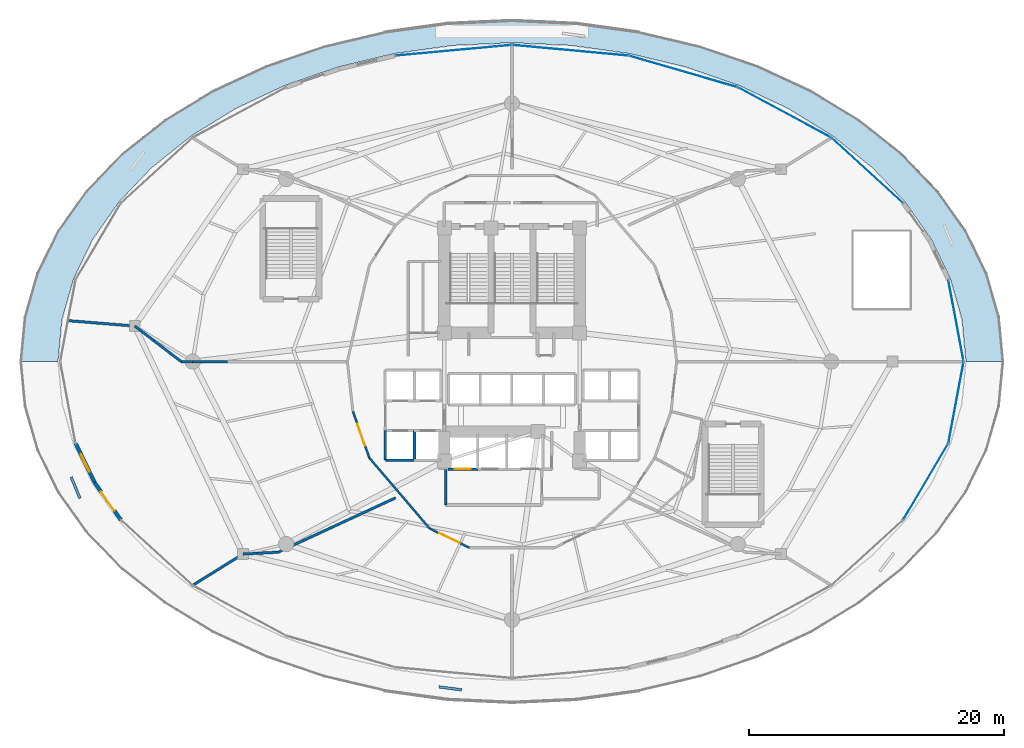
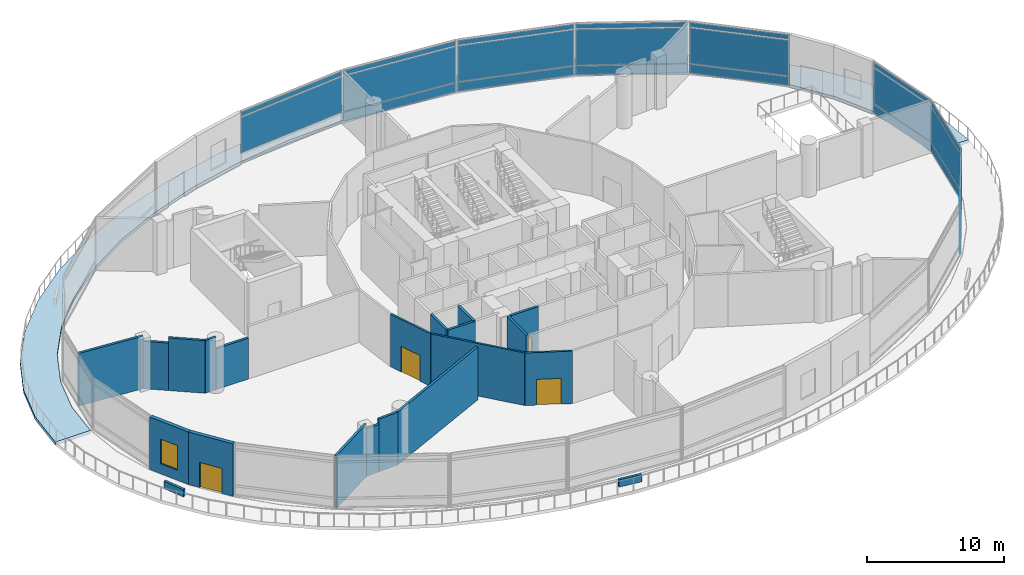
# One storey, part 25 of 36: 23 plates, 21 walls, 4 doors, 1 slab, 1 window, 5 openings, 8 elements without a shape of their own.
"""IFC4 building model written with IfcOpenShell, lengths in metres."""

from ifc_helpers import new_model, si_unit, direction, frame, frame_2d, origin, origin_2d, place, context, subcontext, project, spatial, polyline, rectangle, outline, extrude, material, layer, layer_set, type_object, element, fill, aggregate, save


model = new_model("IFC4")

# Units and contexts
model_context = context("Model", 3, precision=1e-05, world=origin(), true_north=direction((0.0, 1.0)))
body_context = subcontext(model_context, "Body", "Model", "MODEL_VIEW")
ifc_project = project(units=[si_unit("LENGTHUNIT", "METRE"), si_unit("AREAUNIT", "SQUARE_METRE"), si_unit("VOLUMEUNIT", "CUBIC_METRE"), si_unit("PLANEANGLEUNIT", "RADIAN"), si_unit("MASSUNIT", "GRAM", prefix="KILO")], contexts=[model_context])

# Site, building, storey
site_placement = place(None, origin())
site = spatial("IfcSite", under=ifc_project, at=site_placement, CompositionType="ELEMENT")
building_placement = place(site_placement, origin())
building = spatial("IfcBuilding", under=site, at=building_placement, Name="Nuhasar Tower", CompositionType="ELEMENT")
storey_placement = place(building_placement, frame((0.0, 0.0, 11.0)))
storey = spatial("IfcBuildingStorey", under=building, at=storey_placement, Name="L02", CompositionType="ELEMENT", Elevation=11.0)

# Curtain wall, plates
ifc_material_1 = material(Name="Aluminium 6063-T6", Category="aluminium")
ifc_layer_1 = layer(ifc_material_1, 0.219970703125)
ifc_layer_set_1 = layer_set([ifc_layer_1], Name="Aluminium 6063-T6")
curtain_wall_type = type_object("IfcCurtainWallType", Name="CW-PODIUM", PredefinedType="NOTDEFINED", material=ifc_layer_set_1)
curtain_wall_1_placement = place(storey_placement, origin())
curtain_wall_1 = element("IfcCurtainWall", 1, at=curtain_wall_1_placement, inside=storey, type_object=curtain_wall_type, Name="L02 Podium Curtain Wall Bay 01", PredefinedType="NOTDEFINED")
ifc_material_2 = material(Name="Glass Double Low-E", Category="glass")
ifc_layer_2 = layer(ifc_material_2, 0.028076171875)
ifc_layer_set_2 = layer_set([ifc_layer_2], Name="Glass Double Low-E")
plate_type_1 = type_object("IfcPlateType", Name="CW-PANEL-GLZ", PredefinedType="CURTAIN_PANEL", material=ifc_layer_set_2)
plate_1_placement = place(storey_placement, frame((73.8359375, 30.014404296875, 0.9375), z_axis=(0.0, 0.0, 1.0), x_axis=(-0.184666946725, 0.982801159334, 0.0)))
plate_1 = element("IfcPlate", 2, at=plate_1_placement, type_object=plate_type_1, Name="CW-P1 panel 1.2", PredefinedType="CURTAIN_PANEL", context=body_context, shape_type="SweptSolid", body=[
    extrude(rectangle(XDim=6.3916015625, YDim=0.028076171875, at=origin_2d()), origin(), (0.0, 0.0, 1.0), 3.175048828125),
])
plate_2_placement = place(storey_placement, frame((73.8359375, 30.014404296875, 4.1875), z_axis=(0.0, 0.0, 1.0), x_axis=(-0.184666946725, 0.982801159334, 0.0)))
plate_2 = element("IfcPlate", 3, at=plate_2_placement, type_object=plate_type_1, Name="CW-P1 panel 1.3", PredefinedType="CURTAIN_PANEL", context=body_context, shape_type="SweptSolid", body=[
    extrude(rectangle(XDim=6.3916015625, YDim=0.028076171875, at=origin_2d()), origin(), (0.0, 0.0, 1.0), 0.4375),
])

curtain_wall_2_placement = place(storey_placement, origin())
curtain_wall_2 = element("IfcCurtainWall", 4, at=curtain_wall_2_placement, inside=storey, type_object=curtain_wall_type, Name="L02 Podium Curtain Wall Bay 03", PredefinedType="NOTDEFINED")
plate_3_placement = place(storey_placement, frame((66.8759765625, 41.79248046875, 0.9375), z_axis=(0.0, 0.0, 1.0), x_axis=(-0.738306670127, 0.674465166517, 0.0)))
plate_3 = element("IfcPlate", 5, at=plate_3_placement, type_object=plate_type_1, Name="CW-P1 panel 1.2", PredefinedType="CURTAIN_PANEL", context=body_context, shape_type="SweptSolid", body=[
    extrude(rectangle(XDim=7.478271484375, YDim=0.028076171875, at=origin_2d()), origin(), (0.0, 0.0, 1.0), 3.175048828125),
])
plate_4_placement = place(storey_placement, frame((66.8759765625, 41.79248046875, 4.1875), z_axis=(0.0, 0.0, 1.0), x_axis=(-0.738306670127, 0.674465166517, 0.0)))
plate_4 = element("IfcPlate", 6, at=plate_4_placement, type_object=plate_type_1, Name="CW-P1 panel 1.3", PredefinedType="CURTAIN_PANEL", context=body_context, shape_type="SweptSolid", body=[
    extrude(rectangle(XDim=7.478271484375, YDim=0.028076171875, at=origin_2d()), origin(), (0.0, 0.0, 1.0), 0.4375),
])

curtain_wall_3_placement = place(storey_placement, origin())
curtain_wall_3 = element("IfcCurtainWall", 7, at=curtain_wall_3_placement, inside=storey, type_object=curtain_wall_type, Name="L02 Podium Curtain Wall Bay 04", PredefinedType="NOTDEFINED")
plate_5_placement = place(storey_placement, frame((60.389892578125, 46.33837890625, 0.9375), z_axis=(0.0, 0.0, 1.0), x_axis=(-0.880736813978, 0.473606022453, 0.0)))
plate_5 = element("IfcPlate", 8, at=plate_5_placement, type_object=plate_type_1, Name="CW-P1 panel 1.2", PredefinedType="CURTAIN_PANEL", context=body_context, shape_type="SweptSolid", body=[
    extrude(rectangle(XDim=8.183837890625, YDim=0.028076171875, at=origin_2d()), origin(), (0.0, 0.0, 1.0), 3.175048828125),
])
plate_6_placement = place(storey_placement, frame((60.389892578125, 46.33837890625, 4.1875), z_axis=(0.0, 0.0, 1.0), x_axis=(-0.880736813978, 0.473606022453, 0.0)))
plate_6 = element("IfcPlate", 9, at=plate_6_placement, type_object=plate_type_1, Name="CW-P1 panel 1.3", PredefinedType="CURTAIN_PANEL", context=body_context, shape_type="SweptSolid", body=[
    extrude(rectangle(XDim=8.183837890625, YDim=0.028076171875, at=origin_2d()), origin(), (0.0, 0.0, 1.0), 0.4375),
])

curtain_wall_4_placement = place(storey_placement, origin())
curtain_wall_4 = element("IfcCurtainWall", 10, at=curtain_wall_4_placement, inside=storey, type_object=curtain_wall_type, Name="L02 Podium Curtain Wall Bay 05", PredefinedType="NOTDEFINED")
plate_7_placement = place(storey_placement, frame((52.446533203125, 49.552978515625, 0.9375), z_axis=(0.0, 0.0, 1.0), x_axis=(-0.960327785787, 0.278873705907, 0.0)))
plate_7 = element("IfcPlate", 11, at=plate_7_placement, type_object=plate_type_1, Name="CW-P1 panel 1.2", PredefinedType="CURTAIN_PANEL", context=body_context, shape_type="SweptSolid", body=[
    extrude(rectangle(XDim=8.75, YDim=0.028076171875, at=origin_2d()), origin(), (0.0, 0.0, 1.0), 3.175048828125),
])
plate_8_placement = place(storey_placement, frame((52.446533203125, 49.552978515625, 4.1875), z_axis=(0.0, 0.0, 1.0), x_axis=(-0.960327785787, 0.278873705907, 0.0)))
plate_8 = element("IfcPlate", 12, at=plate_8_placement, type_object=plate_type_1, Name="CW-P1 panel 1.3", PredefinedType="CURTAIN_PANEL", context=body_context, shape_type="SweptSolid", body=[
    extrude(rectangle(XDim=8.75, YDim=0.028076171875, at=origin_2d()), origin(), (0.0, 0.0, 1.0), 0.4375),
])

curtain_wall_5_placement = place(storey_placement, origin())
curtain_wall_5 = element("IfcCurtainWall", 13, at=curtain_wall_5_placement, inside=storey, type_object=curtain_wall_type, Name="L02 Podium Curtain Wall Bay 06", PredefinedType="NOTDEFINED")
plate_9_placement = place(storey_placement, frame((43.58642578125, 51.217041015625, 0.9375), z_axis=(0.0, 0.0, 1.0), x_axis=(-0.995774013045, 0.091837437601, 0.0)))
plate_9 = element("IfcPlate", 14, at=plate_9_placement, type_object=plate_type_1, Name="CW-P1 panel 1.2", PredefinedType="CURTAIN_PANEL", context=body_context, shape_type="SweptSolid", body=[
    extrude(rectangle(XDim=9.06201171875, YDim=0.028076171875, at=origin_2d()), origin(), (0.0, 0.0, 1.0), 3.175048828125),
])
plate_10_placement = place(storey_placement, frame((43.58642578125, 51.217041015625, 4.1875), z_axis=(0.0, 0.0, 1.0), x_axis=(-0.995774013045, 0.091837437601, 0.0)))
plate_10 = element("IfcPlate", 15, at=plate_10_placement, type_object=plate_type_1, Name="CW-P1 panel 1.3", PredefinedType="CURTAIN_PANEL", context=body_context, shape_type="SweptSolid", body=[
    extrude(rectangle(XDim=9.06201171875, YDim=0.028076171875, at=origin_2d()), origin(), (0.0, 0.0, 1.0), 0.4375),
])

curtain_wall_6_placement = place(storey_placement, origin())
curtain_wall_6 = element("IfcCurtainWall", 16, at=curtain_wall_6_placement, inside=storey, type_object=curtain_wall_type, Name="L02 Podium Curtain Wall Bay 07", PredefinedType="NOTDEFINED")
plate_11_placement = place(storey_placement, frame((34.41357421875, 51.217041015625, 0.9375), z_axis=(0.0, 0.0, 1.0), x_axis=(-0.995774013045, -0.091837437601, 0.0)))
plate_11 = element("IfcPlate", 17, at=plate_11_placement, type_object=plate_type_1, Name="CW-P1 panel 1.2", PredefinedType="CURTAIN_PANEL", context=body_context, shape_type="SweptSolid", body=[
    extrude(rectangle(XDim=9.06201171875, YDim=0.028076171875, at=origin_2d()), origin(), (0.0, 0.0, 1.0), 3.175048828125),
])
plate_12_placement = place(storey_placement, frame((34.41357421875, 51.217041015625, 4.1875), z_axis=(0.0, 0.0, 1.0), x_axis=(-0.995774013045, -0.091837437601, 0.0)))
plate_12 = element("IfcPlate", 18, at=plate_12_placement, type_object=plate_type_1, Name="CW-P1 panel 1.3", PredefinedType="CURTAIN_PANEL", context=body_context, shape_type="SweptSolid", body=[
    extrude(rectangle(XDim=9.06201171875, YDim=0.028076171875, at=origin_2d()), origin(), (0.0, 0.0, 1.0), 0.4375),
])
aggregate(curtain_wall_6, [plate_11, plate_12])

curtain_wall_7_placement = place(storey_placement, origin())
curtain_wall_7 = element("IfcCurtainWall", 19, at=curtain_wall_7_placement, inside=storey, type_object=curtain_wall_type, Name="L02 Podium Curtain Wall Bay 23", PredefinedType="NOTDEFINED")
plate_13_placement = place(storey_placement, frame((71.4619140625, 17.37548828125, 0.9375), z_axis=(0.0, 0.0, 1.0), x_axis=(0.508714787537, 0.860935110761, 0.0)))
plate_13 = element("IfcPlate", 20, at=plate_13_placement, type_object=plate_type_1, Name="CW-P1 panel 1.2", PredefinedType="CURTAIN_PANEL", context=body_context, shape_type="SweptSolid", body=[
    extrude(rectangle(XDim=6.80859375, YDim=0.028076171875, at=origin_2d()), origin(), (0.0, 0.0, 1.0), 3.175048828125),
])
plate_14_placement = place(storey_placement, frame((71.4619140625, 17.37548828125, 4.1875), z_axis=(0.0, 0.0, 1.0), x_axis=(0.508714787537, 0.860935110761, 0.0)))
plate_14 = element("IfcPlate", 21, at=plate_14_placement, type_object=plate_type_1, Name="CW-P1 panel 1.3", PredefinedType="CURTAIN_PANEL", context=body_context, shape_type="SweptSolid", body=[
    extrude(rectangle(XDim=6.80859375, YDim=0.028076171875, at=origin_2d()), origin(), (0.0, 0.0, 1.0), 0.4375),
])

curtain_wall_8_placement = place(storey_placement, origin())
curtain_wall_8 = element("IfcCurtainWall", 22, at=curtain_wall_8_placement, inside=storey, type_object=curtain_wall_type, Name="L02 Podium Curtain Wall Bay 24", PredefinedType="NOTDEFINED")
plate_15_placement = place(storey_placement, frame((73.8359375, 23.58544921875, 0.9375), z_axis=(0.0, 0.0, 1.0), x_axis=(0.184666946725, 0.982801159334, 0.0)))
plate_15 = element("IfcPlate", 23, at=plate_15_placement, type_object=plate_type_1, Name="CW-P1 panel 1.2", PredefinedType="CURTAIN_PANEL", context=body_context, shape_type="SweptSolid", body=[
    extrude(rectangle(XDim=6.3916015625, YDim=0.028076171875, at=origin_2d()), origin(), (0.0, 0.0, 1.0), 3.175048828125),
])
plate_16_placement = place(storey_placement, frame((73.8359375, 23.58544921875, 4.1875), z_axis=(0.0, 0.0, 1.0), x_axis=(0.184666946725, 0.982801159334, 0.0)))
plate_16 = element("IfcPlate", 24, at=plate_16_placement, type_object=plate_type_1, Name="CW-P1 panel 1.3", PredefinedType="CURTAIN_PANEL", context=body_context, shape_type="SweptSolid", body=[
    extrude(rectangle(XDim=6.3916015625, YDim=0.028076171875, at=origin_2d()), origin(), (0.0, 0.0, 1.0), 0.4375),
])

# Plate
ifc_material_3 = material(Name="Glass Spandrel", Category="glass")
ifc_layer_3 = layer(ifc_material_3, 0.035888671875)
ifc_layer_set_3 = layer_set([ifc_layer_3], Name="Glass Spandrel")
plate_type_2 = type_object("IfcPlateType", Name="CW-PANEL-SPN", PredefinedType="CURTAIN_PANEL", material=ifc_layer_set_3)
plate_17_placement = place(storey_placement, frame((73.8359375, 30.014404296875, 0.074951171875), z_axis=(0.0, 0.0, 1.0), x_axis=(-0.184666946725, 0.982801159334, 0.0)))
plate_17 = element("IfcPlate", 25, at=plate_17_placement, type_object=plate_type_2, Name="CW-P1 panel 1.1", PredefinedType="CURTAIN_PANEL", context=body_context, shape_type="SweptSolid", body=[
    extrude(rectangle(XDim=6.3916015625, YDim=0.035888671875, at=origin_2d()), origin(), (0.0, 0.0, 1.0), 0.78759765625),
])

aggregate(curtain_wall_1, [plate_17, plate_1, plate_2])

plate_18_placement = place(storey_placement, frame((66.8759765625, 41.79248046875, 0.074951171875), z_axis=(0.0, 0.0, 1.0), x_axis=(-0.738306670127, 0.674465166517, 0.0)))
plate_18 = element("IfcPlate", 26, at=plate_18_placement, type_object=plate_type_2, Name="CW-P1 panel 1.1", PredefinedType="CURTAIN_PANEL", context=body_context, shape_type="SweptSolid", body=[
    extrude(rectangle(XDim=7.478271484375, YDim=0.035888671875, at=origin_2d()), origin(), (0.0, 0.0, 1.0), 0.78759765625),
])

aggregate(curtain_wall_2, [plate_18, plate_3, plate_4])

plate_19_placement = place(storey_placement, frame((60.389892578125, 46.33837890625, 0.074951171875), z_axis=(0.0, 0.0, 1.0), x_axis=(-0.880736813978, 0.473606022453, 0.0)))
plate_19 = element("IfcPlate", 27, at=plate_19_placement, type_object=plate_type_2, Name="CW-P1 panel 1.1", PredefinedType="CURTAIN_PANEL", context=body_context, shape_type="SweptSolid", body=[
    extrude(rectangle(XDim=8.183837890625, YDim=0.035888671875, at=origin_2d()), origin(), (0.0, 0.0, 1.0), 0.78759765625),
])

aggregate(curtain_wall_3, [plate_19, plate_5, plate_6])

plate_20_placement = place(storey_placement, frame((52.446533203125, 49.552978515625, 0.074951171875), z_axis=(0.0, 0.0, 1.0), x_axis=(-0.960327785787, 0.278873705907, 0.0)))
plate_20 = element("IfcPlate", 28, at=plate_20_placement, type_object=plate_type_2, Name="CW-P1 panel 1.1", PredefinedType="CURTAIN_PANEL", context=body_context, shape_type="SweptSolid", body=[
    extrude(rectangle(XDim=8.75, YDim=0.035888671875, at=origin_2d()), origin(), (0.0, 0.0, 1.0), 0.78759765625),
])

aggregate(curtain_wall_4, [plate_20, plate_7, plate_8])

plate_21_placement = place(storey_placement, frame((43.58642578125, 51.217041015625, 0.074951171875), z_axis=(0.0, 0.0, 1.0), x_axis=(-0.995774013045, 0.091837437601, 0.0)))
plate_21 = element("IfcPlate", 29, at=plate_21_placement, type_object=plate_type_2, Name="CW-P1 panel 1.1", PredefinedType="CURTAIN_PANEL", context=body_context, shape_type="SweptSolid", body=[
    extrude(rectangle(XDim=9.06201171875, YDim=0.035888671875, at=origin_2d()), origin(), (0.0, 0.0, 1.0), 0.78759765625),
])

aggregate(curtain_wall_5, [plate_21, plate_9, plate_10])

plate_22_placement = place(storey_placement, frame((71.4619140625, 17.37548828125, 0.074951171875), z_axis=(0.0, 0.0, 1.0), x_axis=(0.508714787537, 0.860935110761, 0.0)))
plate_22 = element("IfcPlate", 30, at=plate_22_placement, type_object=plate_type_2, Name="CW-P1 panel 1.1", PredefinedType="CURTAIN_PANEL", context=body_context, shape_type="SweptSolid", body=[
    extrude(rectangle(XDim=6.80859375, YDim=0.035888671875, at=origin_2d()), origin(), (0.0, 0.0, 1.0), 0.78759765625),
])

aggregate(curtain_wall_7, [plate_22, plate_13, plate_14])

plate_23_placement = place(storey_placement, frame((73.8359375, 23.58544921875, 0.074951171875), z_axis=(0.0, 0.0, 1.0), x_axis=(0.184666946725, 0.982801159334, 0.0)))
plate_23 = element("IfcPlate", 31, at=plate_23_placement, type_object=plate_type_2, Name="CW-P1 panel 1.1", PredefinedType="CURTAIN_PANEL", context=body_context, shape_type="SweptSolid", body=[
    extrude(rectangle(XDim=6.3916015625, YDim=0.035888671875, at=origin_2d()), origin(), (0.0, 0.0, 1.0), 0.78759765625),
])

aggregate(curtain_wall_8, [plate_23, plate_15, plate_16])

# Slab
ifc_material_4 = material(Name="Concrete C45/55", Category="concrete")
ifc_layer_4 = layer(ifc_material_4, 0.280029296875)
ifc_layer_set_4 = layer_set([ifc_layer_4], Name="Concrete C45/55")
slab_type = type_object("IfcSlabType", Name="SLB-TERR-280", PredefinedType="FLOOR", material=ifc_layer_set_4)
slab_placement = place(storey_placement, frame((0.0, 0.0, -0.280029296875)))
element("IfcSlab", 32, at=slab_placement, inside=storey, type_object=slab_type, Name="L02 Cascading Bustan Planted Terrace Slab North", PredefinedType="FLOOR", context=body_context, shape_type="SweptSolid", body=[
    extrude(outline(polyline([(77.60009765625, 26.800048828125), (77.27001953125, 30.298095703125), (76.284912109375, 33.736083984375), (74.662109375, 37.055908203125), (72.428955078125, 40.199951171875), (69.623046875, 43.114990234375), (66.2939453125, 45.75), (62.498046875, 48.06201171875), (58.300048828125, 50.009033203125), (53.77197265625, 51.56005859375), (48.989990234375, 52.68701171875), (44.0380859375, 53.37109375), (39.0, 53.60009765625), (33.9619140625, 53.37109375), (29.010009765625, 52.68701171875), (24.22802734375, 51.56005859375), (19.699951171875, 50.009033203125), (15.501953125, 48.06201171875), (11.7060546875, 45.75), (8.376953125, 43.114990234375), (5.571044921875, 40.199951171875), (3.337890625, 37.055908203125), (1.715087890625, 33.736083984375), (0.72998046875, 30.298095703125), (0.39990234375, 26.800048828125), (3.3798828125, 26.800048828125), (3.68505859375, 30.06591796875), (4.593994140625, 33.27587890625), (6.091064453125, 36.375), (8.152099609375, 39.31005859375), (10.740966796875, 42.031005859375), (13.81298828125, 44.491943359375), (17.31591796875, 46.64990234375), (21.18994140625, 48.468017578125), (25.368896484375, 49.9150390625), (29.781005859375, 50.967041015625), (34.35107421875, 51.60595703125), (39.0, 51.820068359375), (43.64892578125, 51.60595703125), (48.218994140625, 50.967041015625), (52.631103515625, 49.9150390625), (56.81005859375, 48.468017578125), (60.68408203125, 46.64990234375), (64.18701171875, 44.491943359375), (67.259033203125, 42.031005859375), (69.847900390625, 39.31005859375), (71.908935546875, 36.375), (73.406005859375, 33.27587890625), (74.31494140625, 30.06591796875), (74.6201171875, 26.800048828125), (77.60009765625, 26.800048828125)])), origin(), (0.0, 0.0, 1.0), 0.280029296875),
])

# Wall, opening, window
ifc_layer_5 = layer(ifc_material_4, 0.239990234375)
ifc_material_5 = material(Name="Limestone Ashlar", Category="masonry")
ifc_layer_6 = layer(ifc_material_5, 0.06005859375)
ifc_layer_set_5 = layer_set([ifc_layer_5, ifc_layer_6], Name="Concrete C45/55")
wall_type_1 = type_object("IfcWallType", Name="WL-ARC-300", PredefinedType="STANDARD", material=ifc_layer_set_5)
wall_1_placement = place(storey_placement, frame((6.258056640625, 17.2939453125, 0.0), z_axis=(0.0, 0.0, 1.0), x_axis=(-0.43580915718, 0.900039098328, 0.0)))
wall_1 = element("IfcWall", 33, at=wall_1_placement, inside=storey, type_object=wall_type_1, Name="L02 Limestone Arcade Spandrel Pier 14-1", PredefinedType="STANDARD", context=body_context, shape_type="SweptSolid", body=[
    extrude(rectangle(XDim=3.4189453125, YDim=0.300048828125, at=frame_2d((1.70947265625, 0.0))), origin(), (0.0, 0.0, 1.0), 4.699951171875),
])
opening_1_placement = place(wall_1_placement, frame((0.958984375, 0.0, 0.89990234375)))
opening_1 = element("IfcOpeningElement", 34, at=opening_1_placement, cuts=wall_1, Name="Opening WX-02", PredefinedType="OPENING", context=body_context, shape_type="SweptSolid", body=[
    extrude(rectangle(XDim=1.5, YDim=2.199951171875, at=frame_2d((0.75, 1.10009765625))), frame((0.0, 0.16015625, 0.0), z_axis=(0.0, -1.0, 0.0), x_axis=(1.0, 0.0, 0.0)), (0.0, 0.0, 1.0), 0.320068359375),
])
window_type = type_object("IfcWindowType", Name="WIN-ARC-1500", PartitioningType="DOUBLE_PANEL_VERTICAL", PredefinedType="WINDOW", material=ifc_material_2)
window_placement = place(opening_1_placement, origin())
window = element("IfcWindow", 35, at=window_placement, inside=storey, type_object=window_type, Name="L02 Arcade Vision Window 14", OverallHeight=2.199951171875, OverallWidth=1.5, PartitioningType="DOUBLE_PANEL_VERTICAL", PredefinedType="WINDOW", context=body_context, shape_type="SweptSolid", body=[
    extrude(rectangle(XDim=1.5, YDim=2.199951171875, at=frame_2d((0.75, 1.10009765625))), frame((0.0, 0.030029296875, 0.0), z_axis=(0.0, -1.0, 0.0), x_axis=(1.0, 0.0, 0.0)), (0.0, 0.0, 1.0), 0.06005859375),
])
fill(opening_1, window)

# Wall, opening, door
wall_2_placement = place(storey_placement, frame((8.30810546875, 14.3798828125, 0.0), z_axis=(0.0, 0.0, 1.0), x_axis=(-0.575383073495, 0.817884049689, 0.0)))
wall_2 = element("IfcWall", 36, at=wall_2_placement, inside=storey, type_object=wall_type_1, Name="L02 Limestone Arcade Spandrel Pier 14-2", PredefinedType="STANDARD", context=body_context, shape_type="SweptSolid", body=[
    extrude(rectangle(XDim=3.56298828125, YDim=0.300048828125, at=frame_2d((1.781494140625, 0.0))), origin(), (0.0, 0.0, 1.0), 4.699951171875),
])
opening_2_placement = place(wall_2_placement, frame((0.881103515625, 0.0, 0.0)))
opening_2 = element("IfcOpeningElement", 37, at=opening_2_placement, cuts=wall_2, Name="Opening DX-02", PredefinedType="OPENING", context=body_context, shape_type="SweptSolid", body=[
    extrude(rectangle(XDim=1.800048828125, YDim=2.25, at=frame_2d((0.89990234375, 1.125))), frame((0.0, 0.16015625, 0.0), z_axis=(0.0, -1.0, 0.0), x_axis=(1.0, 0.0, 0.0)), (0.0, 0.0, 1.0), 0.320068359375),
])
door_type_1 = type_object("IfcDoorType", Name="DR-TERR-1800", OperationType="DOUBLE_DOOR_SINGLE_SWING", PredefinedType="DOOR", material=ifc_material_1)
door_1_placement = place(opening_2_placement, origin())
door_1 = element("IfcDoor", 38, at=door_1_placement, inside=storey, type_object=door_type_1, Name="L02 Bustan Terrace Door 14", OperationType="DOUBLE_DOOR_SINGLE_SWING", OverallHeight=2.25, OverallWidth=1.800048828125, PredefinedType="DOOR", context=body_context, shape_type="SweptSolid", body=[
    extrude(rectangle(XDim=1.800048828125, YDim=2.25, at=frame_2d((0.89990234375, 1.125))), frame((0.0, 0.02490234375, 0.0), z_axis=(0.0, -1.0, 0.0), x_axis=(1.0, 0.0, 0.0)), (0.0, 0.0, 1.0), 0.050048828125),
])
fill(opening_2, door_1)

ifc_material_6 = material(Name="Gypsum Board", Category="gypsum")
ifc_layer_7 = layer(ifc_material_6, 0.159912109375)
ifc_layer_set_6 = layer_set([ifc_layer_7], Name="Gypsum Board")
wall_type_2 = type_object("IfcWallType", Name="WL-CORR-160", PredefinedType="PARTITIONING", material=ifc_layer_set_6)
wall_3_placement = place(storey_placement, frame((27.81103515625, 19.239990234375, 0.0), z_axis=(0.0, 0.0, 1.0), x_axis=(-0.333704620558, 0.942677689467, 0.0)))
wall_3 = element("IfcWall", 39, at=wall_3_placement, inside=storey, type_object=wall_type_2, Name="L02 Interior Partition CORR-26", PredefinedType="PARTITIONING", context=body_context, shape_type="SweptSolid", body=[
    extrude(rectangle(XDim=3.86865234375, YDim=0.159912109375, at=frame_2d((1.934326171875, 0.0))), origin(), (0.0, 0.0, 1.0), 4.699951171875),
])
opening_3_placement = place(wall_3_placement, frame((1.033935546875, 0.0, 0.0)))
opening_3 = element("IfcOpeningElement", 40, at=opening_3_placement, cuts=wall_3, Name="Opening DB-02", PredefinedType="OPENING", context=body_context, shape_type="SweptSolid", body=[
    extrude(rectangle(XDim=1.800048828125, YDim=2.300048828125, at=frame_2d((0.89990234375, 1.14990234375))), frame((0.0, 0.08984375, 0.0), z_axis=(0.0, -1.0, 0.0), x_axis=(1.0, 0.0, 0.0)), (0.0, 0.0, 1.0), 0.179931640625),
])
door_type_2 = type_object("IfcDoorType", Name="DR-BALL-FD60-1800", OperationType="DOUBLE_DOOR_SINGLE_SWING", PredefinedType="DOOR", material=ifc_material_1)
door_2_placement = place(opening_3_placement, origin())
door_2 = element("IfcDoor", 41, at=door_2_placement, inside=storey, type_object=door_type_2, Name="L02 Banquet Kitchen Door", OperationType="DOUBLE_DOOR_SINGLE_SWING", OverallHeight=2.300048828125, OverallWidth=1.800048828125, PredefinedType="DOOR", context=body_context, shape_type="SweptSolid", body=[
    extrude(rectangle(XDim=1.800048828125, YDim=2.300048828125, at=frame_2d((0.89990234375, 1.14990234375))), frame((0.0, 0.02490234375, 0.0), z_axis=(0.0, -1.0, 0.0), x_axis=(1.0, 0.0, 0.0)), (0.0, 0.0, 1.0), 0.050048828125),
])
fill(opening_3, door_2)

# Wall
wall_4_placement = place(storey_placement, frame((27.81103515625, 19.239990234375, 0.0), z_axis=(0.0, 0.0, 1.0), x_axis=(0.649652680018, -0.760231145998, 0.0)))
element("IfcWall", 42, at=wall_4_placement, inside=storey, type_object=wall_type_2, Name="L02 Interior Partition CORR-28", PredefinedType="PARTITIONING", context=body_context, shape_type="SweptSolid", body=[
    extrude(rectangle(XDim=7.279296875, YDim=0.159912109375, at=frame_2d((3.6396484375, 0.0))), origin(), (0.0, 0.0, 1.0), 4.699951171875),
])

# Wall, opening, door
wall_5_placement = place(storey_placement, frame((35.656005859375, 12.195068359375, 0.0), z_axis=(0.0, 0.0, 1.0), x_axis=(-0.899789784655, 0.436323668199, 0.0)))
wall_5 = element("IfcWall", 43, at=wall_5_placement, inside=storey, type_object=wall_type_2, Name="L02 Interior Partition CORR-32", PredefinedType="PARTITIONING", context=body_context, shape_type="SweptSolid", body=[
    extrude(rectangle(XDim=3.462890625, YDim=0.159912109375, at=frame_2d((1.7314453125, 0.0))), origin(), (0.0, 0.0, 1.0), 4.699951171875),
])
opening_4_placement = place(wall_5_placement, frame((0.83203125, 0.0, 0.0)))
opening_4 = element("IfcOpeningElement", 44, at=opening_4_placement, cuts=wall_5, Name="Opening DB-02", PredefinedType="OPENING", context=body_context, shape_type="SweptSolid", body=[
    extrude(rectangle(XDim=1.800048828125, YDim=2.300048828125, at=frame_2d((0.89990234375, 1.14990234375))), frame((0.0, 0.08984375, 0.0), z_axis=(0.0, -1.0, 0.0), x_axis=(1.0, 0.0, 0.0)), (0.0, 0.0, 1.0), 0.179931640625),
])
door_3_placement = place(opening_4_placement, origin())
door_3 = element("IfcDoor", 45, at=door_3_placement, inside=storey, type_object=door_type_2, Name="L02 Red Sea Symposium Hall Door", OperationType="DOUBLE_DOOR_SINGLE_SWING", OverallHeight=2.300048828125, OverallWidth=1.800048828125, PredefinedType="DOOR", context=body_context, shape_type="SweptSolid", body=[
    extrude(rectangle(XDim=1.800048828125, YDim=2.300048828125, at=frame_2d((0.89990234375, 1.14990234375))), frame((0.0, 0.02490234375, 0.0), z_axis=(0.0, -1.0, 0.0), x_axis=(1.0, 0.0, 0.0)), (0.0, 0.0, 1.0), 0.050048828125),
])
fill(opening_4, door_3)

# Walls
ifc_layer_8 = layer(ifc_material_4, 0.199951171875)
ifc_layer_set_7 = layer_set([ifc_layer_8], Name="Concrete C45/55")
wall_type_3 = type_object("IfcWallType", Name="WL-LOBBY-200", PredefinedType="SOLIDWALL", material=ifc_layer_set_7)
wall_6_placement = place(storey_placement, frame((33.800048828125, 15.550048828125, 0.0), z_axis=(0.0, 0.0, 1.0), x_axis=(0.0, 1.0, 0.0)))
element("IfcWall", 46, at=wall_6_placement, inside=storey, type_object=wall_type_3, Name="L02 Interior Partition FFL-W", PredefinedType="SOLIDWALL", context=body_context, shape_type="SweptSolid", body=[
    extrude(rectangle(XDim=2.800048828125, YDim=0.199951171875, at=frame_2d((1.39990234375, 0.0))), origin(), (0.0, 0.0, 1.0), 4.699951171875),
])
wall_7_placement = place(storey_placement, frame((16.68310546875, 26.800048828125, 0.0), z_axis=(0.0, 0.0, 1.0), x_axis=(-1.0, 0.0, 0.0)))
element("IfcWall", 47, at=wall_7_placement, inside=storey, type_object=wall_type_3, Name="L02 Interior Partition PRAD-24-S1", PredefinedType="SOLIDWALL", context=body_context, shape_type="SweptSolid", body=[
    extrude(rectangle(XDim=2.744140625, YDim=0.199951171875, at=frame_2d((1.3720703125, 0.0))), origin(), (0.0, 0.0, 1.0), 3.659912109375),
])
wall_8_placement = place(storey_placement, frame((13.93896484375, 26.800048828125, 0.0), z_axis=(0.0, 0.0, 1.0), x_axis=(-1.0, 0.0, 0.0)))
element("IfcWall", 48, at=wall_8_placement, inside=storey, type_object=wall_type_3, Name="L02 Interior Partition PRAD-24-S1", PredefinedType="SOLIDWALL", context=body_context, shape_type="SweptSolid", body=[
    extrude(rectangle(XDim=0.888916015625, YDim=0.199951171875, at=frame_2d((0.4443359375, 0.0))), origin(), (0.0, 0.0, 1.0), 4.699951171875),
])
wall_9_placement = place(storey_placement, frame((13.050048828125, 26.800048828125, 0.0), z_axis=(0.0, 0.0, 1.0), x_axis=(-0.794337234882, 0.607477042595, 0.0)))
element("IfcWall", 49, at=wall_9_placement, inside=storey, type_object=wall_type_3, Name="L02 Interior Partition PRAD-24-S2", PredefinedType="SOLIDWALL", context=body_context, shape_type="SweptSolid", body=[
    extrude(rectangle(XDim=2.69140625, YDim=0.199951171875, at=frame_2d((1.345703125, 0.0))), origin(), (0.0, 0.0, 1.0), 4.699951171875),
])
wall_10_placement = place(storey_placement, frame((10.912109375, 28.43505859375, 0.0), z_axis=(0.0, 0.0, 1.0), x_axis=(-0.794514897702, 0.607244660191, 0.0)))
element("IfcWall", 50, at=wall_10_placement, inside=storey, type_object=wall_type_3, Name="L02 Interior Partition PRAD-24-S2", PredefinedType="SOLIDWALL", context=body_context, shape_type="SweptSolid", body=[
    extrude(rectangle(XDim=1.89697265625, YDim=0.199951171875, at=frame_2d((0.948486328125, 0.0))), origin(), (0.0, 0.0, 1.0), 4.239990234375),
])
wall_11_placement = place(storey_placement, frame((9.405029296875, 29.5869140625, 0.0), z_axis=(0.0, 0.0, 1.0), x_axis=(-0.996715094871, 0.080987774729, 0.0)))
element("IfcWall", 51, at=wall_11_placement, inside=storey, type_object=wall_type_3, Name="L02 Interior Partition PRAD-24-S3", PredefinedType="SOLIDWALL", context=body_context, shape_type="SweptSolid", body=[
    extrude(rectangle(XDim=5.22412109375, YDim=0.199951171875, at=frame_2d((2.612060546875, 0.0))), origin(), (0.0, 0.0, 1.0), 4.699951171875),
])
ifc_layer_9 = layer(ifc_material_4, 0.199951171875)
ifc_layer_set_8 = layer_set([ifc_layer_9], Name="Concrete C45/55")
wall_type_4 = type_object("IfcWallType", Name="WL-PLANTER-200", PredefinedType="ELEMENTEDWALL", material=ifc_layer_set_8)
wall_12_placement = place(storey_placement, frame((5.10498046875, 16.072021484375, 0.0), z_axis=(0.0, 0.0, 1.0), x_axis=(-0.382263927846, 0.924053185411, 0.0)))
element("IfcWall", 52, at=wall_12_placement, inside=storey, type_object=wall_type_4, Name="L02 Bustan Garden Planter Curb 04", PredefinedType="ELEMENTEDWALL", context=body_context, shape_type="SweptSolid", body=[
    extrude(rectangle(XDim=1.7998046875, YDim=0.199951171875, at=frame_2d((0.89990234375, 0.0))), origin(), (0.0, 0.0, 1.0), 0.64990234375),
])
wall_13_placement = place(storey_placement, frame((35.054931640625, 1.0439453125, 0.0), z_axis=(0.0, 0.0, 1.0), x_axis=(-0.991436284929, 0.130591320255, 0.0)))
element("IfcWall", 53, at=wall_13_placement, inside=storey, type_object=wall_type_4, Name="L02 Bustan Garden Planter Curb 05", PredefinedType="ELEMENTEDWALL", context=body_context, shape_type="SweptSolid", body=[
    extrude(rectangle(XDim=1.80029296875, YDim=0.199951171875, at=frame_2d((0.900146484375, 0.0))), origin(), (0.0, 0.0, 1.0), 0.64990234375),
])
ifc_layer_10 = layer(ifc_material_4, 0.199951171875)
ifc_layer_set_9 = layer_set([ifc_layer_10], Name="Concrete C45/55")
wall_type_5 = type_object("IfcWallType", Name="WL-SHAFT-200", PredefinedType="SOLIDWALL", material=ifc_layer_set_9)
for number, where, z_axis, x_axis, name in (
    (54, (29.070068359375, 19.070068359375, 0.0), (0.0, 0.0, 1.0), (1.0, 0.0, 0.0), "L02 Interior Partition SHF-PL-L03-S"),
    (55, (29.070068359375, 19.070068359375, 0.0), (0.0, 0.0, 1.0), (0.0, 1.0, 0.0), "L02 Interior Partition SHF-PL-L03-W"),
    (56, (31.35009765625, 19.070068359375, 0.0), (0.0, 0.0, 1.0), (0.0, 1.0, 0.0), "L02 Interior Partition SHF-PL-L03-E"),
):
    element("IfcWall", number, at=place(storey_placement, frame(where, z_axis=z_axis, x_axis=x_axis)), inside=storey, type_object=wall_type_5, Name=name, PredefinedType="SOLIDWALL", context=body_context, shape_type="SweptSolid", body=[
        extrude(rectangle(XDim=2.309814453125, YDim=0.199951171875, at=frame_2d((1.15478515625, 0.0))), origin(), (0.0, 0.0, 1.0), 4.699951171875),
    ])

# Wall, opening, door
wall_14_placement = place(storey_placement, frame((33.969970703125, 18.3701171875, 0.0), z_axis=(0.0, 0.0, 1.0), x_axis=(1.0, 0.0, 0.0)))
wall_14 = element("IfcWall", 57, at=wall_14_placement, inside=storey, type_object=wall_type_5, Name="L02 Interior Partition SHF-FFL-01-S", PredefinedType="SOLIDWALL", context=body_context, shape_type="SweptSolid", body=[
    extrude(rectangle(XDim=2.360107421875, YDim=0.199951171875, at=frame_2d((1.18017578125, 0.0))), origin(), (0.0, 0.0, 1.0), 4.699951171875),
])
opening_5_placement = place(wall_14_placement, frame((0.554931640625, 0.0, 0.0)))
opening_5 = element("IfcOpeningElement", 58, at=opening_5_placement, cuts=wall_14, Name="Opening LD-F01", PredefinedType="OPENING", context=body_context, shape_type="SweptSolid", body=[
    extrude(rectangle(XDim=1.25, YDim=2.199951171875, at=frame_2d((0.625, 1.10009765625))), frame((0.0, 0.10986328125, 0.0), z_axis=(0.0, -1.0, 0.0), x_axis=(1.0, 0.0, 0.0)), (0.0, 0.0, 1.0), 0.219970703125),
])
ifc_material_7 = material(Name="Stainless Steel 316L", Category="steel")
door_type_3 = type_object("IfcDoorType", Name="LD-FFL-1250", OperationType="DOUBLE_DOOR_SLIDING", PredefinedType="DOOR", material=ifc_material_7)
door_4_placement = place(opening_5_placement, origin())
door_4 = element("IfcDoor", 59, at=door_4_placement, inside=storey, type_object=door_type_3, Name="L02 Lift Landing Door FFL-01", OperationType="DOUBLE_DOOR_SLIDING", OverallHeight=2.199951171875, OverallWidth=1.25, PredefinedType="DOOR", context=body_context, shape_type="SweptSolid", body=[
    extrude(rectangle(XDim=1.25, YDim=2.199951171875, at=frame_2d((0.625, 1.10009765625))), frame((0.0, 0.02490234375, 0.0), z_axis=(0.0, -1.0, 0.0), x_axis=(1.0, 0.0, 0.0)), (0.0, 0.0, 1.0), 0.050048828125),
])
fill(opening_5, door_4)

# Walls
ifc_material_8 = material(Name="Concrete C40/50 precast", Category="concrete")
ifc_layer_11 = layer(ifc_material_8, 0.199951171875)
ifc_layer_set_10 = layer_set([ifc_layer_11], Name="Concrete C40/50 precast")
wall_type_6 = type_object("IfcWallType", Name="WL-UNIT-200", PredefinedType="PARTITIONING", material=ifc_layer_set_10)
wall_15_placement = place(storey_placement, frame((29.864013671875, 16.10888671875, 0.0), z_axis=(0.0, 0.0, 1.0), x_axis=(-0.907520382507, -0.420008041988, 0.0)))
element("IfcWall", 60, at=wall_15_placement, inside=storey, type_object=wall_type_6, Name="L02 Interior Partition PRAD-30-S1", PredefinedType="PARTITIONING", context=body_context, shape_type="SweptSolid", body=[
    extrude(rectangle(XDim=10.152099609375, YDim=0.199951171875, at=frame_2d((5.076171875, 0.0))), origin(), (0.0, 0.0, 1.0), 4.699951171875),
])
wall_16_placement = place(storey_placement, frame((20.65087890625, 11.844970703125, 0.0), z_axis=(0.0, 0.0, 1.0), x_axis=(-0.998692725363, -0.051115949639, 0.0)))
element("IfcWall", 61, at=wall_16_placement, inside=storey, type_object=wall_type_6, Name="L02 Interior Partition PRAD-30-S2", PredefinedType="PARTITIONING", context=body_context, shape_type="SweptSolid", body=[
    extrude(rectangle(XDim=1.64306640625, YDim=0.199951171875, at=frame_2d((0.821533203125, 0.0))), origin(), (0.0, 0.0, 1.0), 4.699951171875),
])
wall_17_placement = place(storey_placement, frame((19.010009765625, 11.760986328125, 0.0), z_axis=(0.0, 0.0, 1.0), x_axis=(-0.998649603439, -0.051951607785, 0.0)))
element("IfcWall", 62, at=wall_17_placement, inside=storey, type_object=wall_type_6, Name="L02 Interior Partition PRAD-30-S2", PredefinedType="PARTITIONING", context=body_context, shape_type="SweptSolid", body=[
    extrude(rectangle(XDim=1.118408203125, YDim=0.199951171875, at=frame_2d((0.55908203125, 0.0))), origin(), (0.0, 0.0, 1.0), 4.239990234375),
])
wall_18_placement = place(storey_placement, frame((17.89306640625, 11.702880859375, 0.0), z_axis=(0.0, 0.0, 1.0), x_axis=(-0.849173378653, -0.528114166623, 0.0)))
element("IfcWall", 63, at=wall_18_placement, inside=storey, type_object=wall_type_6, Name="L02 Interior Partition PRAD-30-S3", PredefinedType="PARTITIONING", context=body_context, shape_type="SweptSolid", body=[
    extrude(rectangle(XDim=4.625732421875, YDim=0.199951171875, at=frame_2d((2.31298828125, 0.0))), origin(), (0.0, 0.0, 1.0), 4.699951171875),
])

save(model, "model.ifc")
